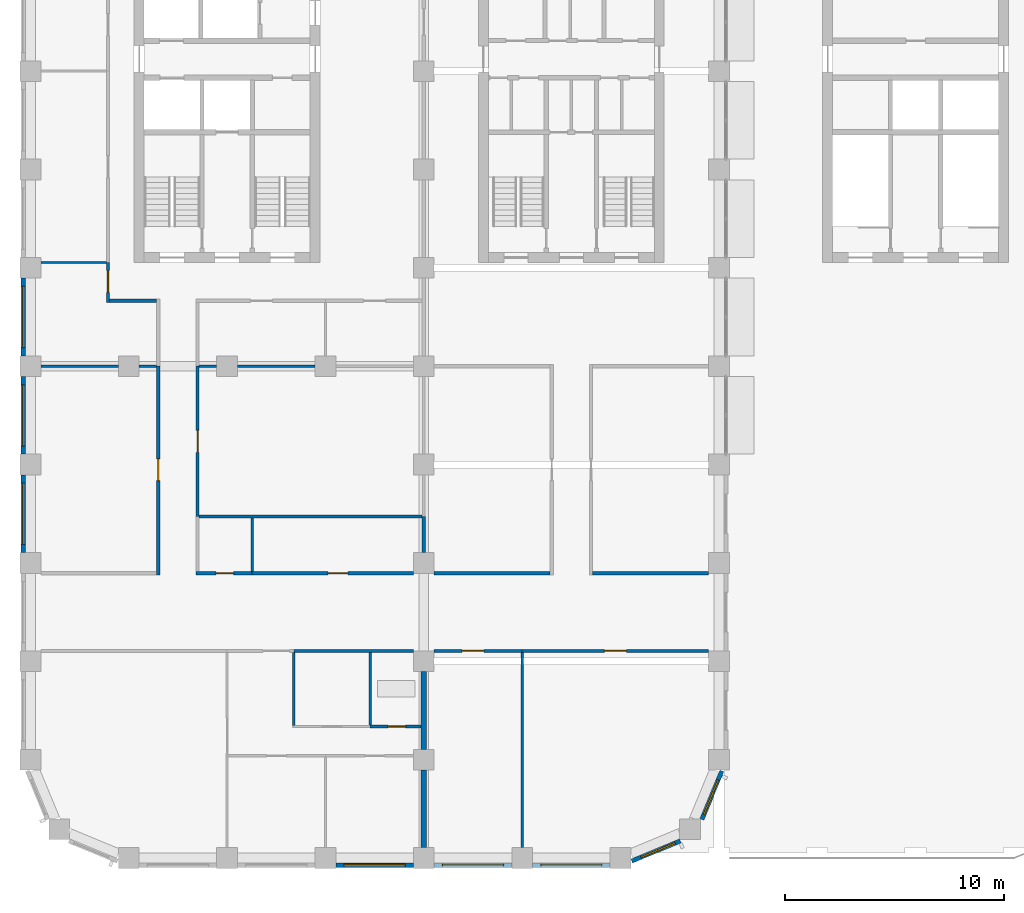
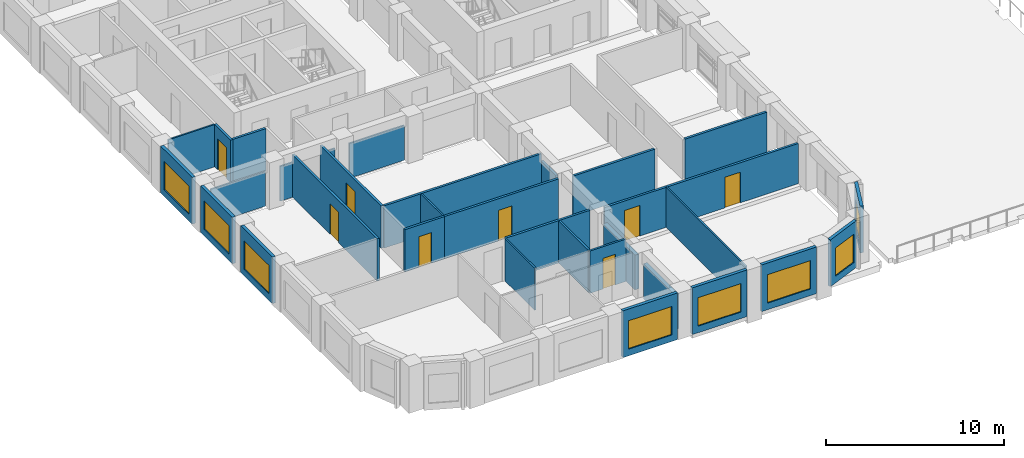
# One storey, part 7 of 15: 33 walls, 8 doors, 8 windows, 16 openings.
"""IFC4 building model written with IfcOpenShell, lengths in metres."""

from ifc_helpers import new_model, si_unit, direction, frame, frame_2d, origin, place, context, subcontext, project, spatial, rectangle, extrude, material, layer, layer_set, type_object, element, fill, save


model = new_model("IFC4")

# Units and contexts
model_context = context("Model", 3, precision=1e-05, world=origin(), true_north=direction((0.0, 1.0)))
body_context = subcontext(model_context, "Body", "Model", "MODEL_VIEW")
ifc_project = project(units=[si_unit("LENGTHUNIT", "METRE"), si_unit("AREAUNIT", "SQUARE_METRE"), si_unit("VOLUMEUNIT", "CUBIC_METRE"), si_unit("PLANEANGLEUNIT", "RADIAN"), si_unit("MASSUNIT", "GRAM", prefix="KILO")], contexts=[model_context])

# Site, building, storey
site_placement = place(None, origin())
site = spatial("IfcSite", under=ifc_project, at=site_placement, CompositionType="ELEMENT")
building_placement = place(site_placement, origin())
building = spatial("IfcBuilding", under=site, at=building_placement, Name="Girih Gate Residences", CompositionType="ELEMENT")
storey_placement = place(building_placement, frame((0.0, 0.0, 176.300048828125)))
storey = spatial("IfcBuildingStorey", under=building, at=storey_placement, Name="L48", CompositionType="ELEMENT", Elevation=176.300048828125)

# Walls
ifc_material_1 = material(Name="Gypsum board on steel studs", Category="steel")
ifc_layer_1 = layer(ifc_material_1, 0.25)
ifc_layer_set_1 = layer_set([ifc_layer_1], Name="Acoustic separating wall 250 mm")
wall_type_1 = type_object("IfcWallType", Name="Acoustic separating wall 250 mm", PredefinedType="PARTITIONING", material=ifc_layer_set_1)
for number, where, z_axis, x_axis, name in (
    (1, (18.0, 0.47509765625, 0.0), (0.0, 0.0, 1.0), (0.0, 1.0, 0.0), "L48 partition"),
    (2, (18.0, 4.97509765625, 0.0), (0.0, 0.0, 1.0), (0.0, 1.0, 0.0), "L48 partition"),
):
    element("IfcWall", number, at=place(storey_placement, frame(where, z_axis=z_axis, x_axis=x_axis)), inside=storey, type_object=wall_type_1, Name=name, PredefinedType="PARTITIONING", context=body_context, shape_type="SweptSolid", body=[
        extrude(rectangle(XDim=3.5498046875, YDim=0.25, at=frame_2d((1.77490234375, 0.0))), origin(), (0.0, 0.0, 1.0), 2.3798828125),
    ])
ifc_layer_2 = layer(ifc_material_1, 0.14990234375)
ifc_layer_set_2 = layer_set([ifc_layer_2], Name="Compartment wall 150 mm")
wall_type_2 = type_object("IfcWallType", Name="Compartment wall 150 mm", PredefinedType="PARTITIONING", material=ifc_layer_set_2)
wall_1_placement = place(storey_placement, frame((12.050048828125, 9.47509765625, 0.0), z_axis=(0.0, 0.0, 1.0), x_axis=(1.0, 0.0, 0.0)))
element("IfcWall", 3, at=wall_1_placement, inside=storey, type_object=wall_type_2, Name="L48 partition", PredefinedType="PARTITIONING", context=body_context, shape_type="SweptSolid", body=[
    extrude(rectangle(XDim=5.474853515625, YDim=0.14990234375, at=frame_2d((2.7373046875, 0.0))), origin(), (0.0, 0.0, 1.0), 2.89990234375),
])

# Wall, opening, door
wall_2_placement = place(storey_placement, frame((7.64990234375, 22.5, 0.0), z_axis=(0.0, 0.0, 1.0), x_axis=(0.0, -1.0, 0.0)))
wall_2 = element("IfcWall", 4, at=wall_2_placement, inside=storey, type_object=wall_type_2, Name="L48 partition", PredefinedType="PARTITIONING", context=body_context, shape_type="SweptSolid", body=[
    extrude(rectangle(XDim=6.875, YDim=0.14990234375, at=frame_2d((3.4375, 0.0))), origin(), (0.0, 0.0, 1.0), 2.89990234375),
])
opening_1_placement = place(wall_2_placement, frame((2.9375, 0.0, 0.0)))
opening_1 = element("IfcOpeningElement", 5, at=opening_1_placement, cuts=wall_2, Name="Opening A48-020", PredefinedType="OPENING", context=body_context, shape_type="SweptSolid", body=[
    extrude(rectangle(XDim=1.0, YDim=2.10009765625, at=frame_2d((0.5, 1.050048828125))), frame((0.0, 0.0849609375, 0.0), z_axis=(0.0, -1.0, 0.0), x_axis=(1.0, 0.0, 0.0)), (0.0, 0.0, 1.0), 0.169921875),
])
ifc_material_2 = material(Name="Timber, fire-rated core", Category="wood")
door_type_1 = type_object("IfcDoorType", Name="Amenity room door 1000x2100 FD30S", OperationType="NOTDEFINED", PredefinedType="DOOR", material=ifc_material_2)
door_1_placement = place(opening_1_placement, origin())
door_1 = element("IfcDoor", 6, at=door_1_placement, inside=storey, type_object=door_type_1, Name="Door A48-020", OperationType="SINGLE_SWING_RIGHT", OverallHeight=2.10009765625, OverallWidth=1.0, PredefinedType="DOOR", context=body_context, shape_type="SweptSolid", body=[
    extrude(rectangle(XDim=1.0, YDim=2.10009765625, at=frame_2d((0.5, 1.050048828125))), frame((0.0, 0.02490234375, 0.0), z_axis=(0.0, -1.0, 0.0), x_axis=(1.0, 0.0, 0.0)), (0.0, 0.0, 1.0), 0.050048828125),
])
fill(opening_1, door_1)

# Wall
wall_3_placement = place(storey_placement, frame((7.72509765625, 15.625, 0.0), z_axis=(0.0, 0.0, 1.0), x_axis=(1.0, 0.0, 0.0)))
element("IfcWall", 7, at=wall_3_placement, inside=storey, type_object=wall_type_2, Name="L48 partition", PredefinedType="PARTITIONING", context=body_context, shape_type="SweptSolid", body=[
    extrude(rectangle(XDim=10.199951171875, YDim=0.14990234375, at=frame_2d((5.10009765625, 0.0))), origin(), (0.0, 0.0, 1.0), 2.89990234375),
])

# Wall, opening, door
wall_4_placement = place(storey_placement, frame((22.5, 9.47509765625, 0.0), z_axis=(0.0, 0.0, 1.0), x_axis=(-1.0, 0.0, 0.0)))
wall_4 = element("IfcWall", 8, at=wall_4_placement, inside=storey, type_object=wall_type_2, Name="L48 partition", PredefinedType="PARTITIONING", context=body_context, shape_type="SweptSolid", body=[
    extrude(rectangle(XDim=4.02490234375, YDim=0.14990234375, at=frame_2d((2.012451171875, 0.0))), origin(), (0.0, 0.0, 1.0), 2.75),
])
opening_2_placement = place(wall_4_placement, frame((1.75, 0.0, 0.0)))
opening_2 = element("IfcOpeningElement", 9, at=opening_2_placement, cuts=wall_4, Name="Opening A48-022", PredefinedType="OPENING", context=body_context, shape_type="SweptSolid", body=[
    extrude(rectangle(XDim=1.0, YDim=2.10009765625, at=frame_2d((0.5, 1.050048828125))), frame((0.0, 0.0849609375, 0.0), z_axis=(0.0, -1.0, 0.0), x_axis=(1.0, 0.0, 0.0)), (0.0, 0.0, 1.0), 0.169921875),
])
door_2_placement = place(opening_2_placement, origin())
door_2 = element("IfcDoor", 10, at=door_2_placement, inside=storey, type_object=door_type_1, Name="Door A48-022", OperationType="SINGLE_SWING_RIGHT", OverallHeight=2.10009765625, OverallWidth=1.0, PredefinedType="DOOR", context=body_context, shape_type="SweptSolid", body=[
    extrude(rectangle(XDim=1.0, YDim=2.10009765625, at=frame_2d((0.5, 1.050048828125))), frame((0.0, 0.02490234375, 0.0), z_axis=(0.0, -1.0, 0.0), x_axis=(1.0, 0.0, 0.0)), (0.0, 0.0, 1.0), 0.050048828125),
])
fill(opening_2, door_2)

wall_5_placement = place(storey_placement, frame((31.02490234375, 9.47509765625, 0.0), z_axis=(0.0, 0.0, 1.0), x_axis=(-1.0, 0.0, 0.0)))
wall_5 = element("IfcWall", 11, at=wall_5_placement, inside=storey, type_object=wall_type_2, Name="L48 partition", PredefinedType="PARTITIONING", context=body_context, shape_type="SweptSolid", body=[
    extrude(rectangle(XDim=8.52490234375, YDim=0.14990234375, at=frame_2d((4.262451171875, 0.0))), origin(), (0.0, 0.0, 1.0), 2.75),
])
opening_3_placement = place(wall_5_placement, frame((3.762451171875, 0.0, 0.0)))
opening_3 = element("IfcOpeningElement", 12, at=opening_3_placement, cuts=wall_5, Name="Opening A48-023", PredefinedType="OPENING", context=body_context, shape_type="SweptSolid", body=[
    extrude(rectangle(XDim=1.0, YDim=2.10009765625, at=frame_2d((0.5, 1.050048828125))), frame((0.0, 0.0849609375, 0.0), z_axis=(0.0, -1.0, 0.0), x_axis=(1.0, 0.0, 0.0)), (0.0, 0.0, 1.0), 0.169921875),
])
door_3_placement = place(opening_3_placement, origin())
door_3 = element("IfcDoor", 13, at=door_3_placement, inside=storey, type_object=door_type_1, Name="Door A48-023", OperationType="SINGLE_SWING_RIGHT", OverallHeight=2.10009765625, OverallWidth=1.0, PredefinedType="DOOR", context=body_context, shape_type="SweptSolid", body=[
    extrude(rectangle(XDim=1.0, YDim=2.10009765625, at=frame_2d((0.5, 1.050048828125))), frame((0.0, 0.02490234375, 0.0), z_axis=(0.0, -1.0, 0.0), x_axis=(1.0, 0.0, 0.0)), (0.0, 0.0, 1.0), 0.050048828125),
])
fill(opening_3, door_3)

# Walls
for number, where, z_axis, x_axis, name in (
    (14, (18.47509765625, 13.02490234375, 0.0), (0.0, 0.0, 1.0), (1.0, 0.0, 0.0), "L48 partition"),
    (15, (25.72509765625, 13.02490234375, 0.0), (0.0, 0.0, 1.0), (1.0, 0.0, 0.0), "L48 partition"),
):
    element("IfcWall", number, at=place(storey_placement, frame(where, z_axis=z_axis, x_axis=x_axis)), inside=storey, type_object=wall_type_2, Name=name, PredefinedType="PARTITIONING", context=body_context, shape_type="SweptSolid", body=[
        extrude(rectangle(XDim=5.2998046875, YDim=0.14990234375, at=frame_2d((2.64990234375, 0.0))), origin(), (0.0, 0.0, 1.0), 2.75),
    ])

# Wall, opening, door
wall_6_placement = place(storey_placement, frame((10.14990234375, 13.02490234375, 0.0), z_axis=(0.0, 0.0, 1.0), x_axis=(1.0, 0.0, 0.0)))
wall_6 = element("IfcWall", 16, at=wall_6_placement, inside=storey, type_object=wall_type_2, Name="L48 partition", PredefinedType="PARTITIONING", context=body_context, shape_type="SweptSolid", body=[
    extrude(rectangle(XDim=7.375, YDim=0.14990234375, at=frame_2d((3.6875, 0.0))), origin(), (0.0, 0.0, 1.0), 2.89990234375),
])
opening_4_placement = place(wall_6_placement, frame((3.47509765625, 0.0, 0.0)))
opening_4 = element("IfcOpeningElement", 17, at=opening_4_placement, cuts=wall_6, Name="Opening A48-026", PredefinedType="OPENING", context=body_context, shape_type="SweptSolid", body=[
    extrude(rectangle(XDim=0.89990234375, YDim=2.10009765625, at=frame_2d((0.449951171875, 1.050048828125))), frame((0.0, 0.0849609375, 0.0), z_axis=(0.0, -1.0, 0.0), x_axis=(1.0, 0.0, 0.0)), (0.0, 0.0, 1.0), 0.169921875),
])
ifc_material_3 = material(Name="Timber", Category="wood")
door_type_2 = type_object("IfcDoorType", Name="Service room door 900x2100", OperationType="NOTDEFINED", PredefinedType="DOOR", material=ifc_material_3)
door_4_placement = place(opening_4_placement, origin())
door_4 = element("IfcDoor", 18, at=door_4_placement, inside=storey, type_object=door_type_2, Name="Door A48-026", OperationType="SINGLE_SWING_RIGHT", OverallHeight=2.10009765625, OverallWidth=0.89990234375, PredefinedType="DOOR", context=body_context, shape_type="SweptSolid", body=[
    extrude(rectangle(XDim=0.89990234375, YDim=2.10009765625, at=frame_2d((0.449951171875, 1.050048828125))), frame((0.0, 0.02490234375, 0.0), z_axis=(0.0, -1.0, 0.0), x_axis=(1.0, 0.0, 0.0)), (0.0, 0.0, 1.0), 0.050048828125),
])
fill(opening_4, door_4)

wall_7_placement = place(storey_placement, frame((7.574951171875, 13.02490234375, 0.0), z_axis=(0.0, 0.0, 1.0), x_axis=(1.0, 0.0, 0.0)))
wall_7 = element("IfcWall", 19, at=wall_7_placement, inside=storey, type_object=wall_type_2, Name="L48 partition", PredefinedType="PARTITIONING", context=body_context, shape_type="SweptSolid", body=[
    extrude(rectangle(XDim=2.574951171875, YDim=0.14990234375, at=frame_2d((1.28759765625, 0.0))), origin(), (0.0, 0.0, 1.0), 2.89990234375),
])
opening_5_placement = place(wall_7_placement, frame((0.925048828125, 0.0, 0.0)))
opening_5 = element("IfcOpeningElement", 20, at=opening_5_placement, cuts=wall_7, Name="Opening A48-027", PredefinedType="OPENING", context=body_context, shape_type="SweptSolid", body=[
    extrude(rectangle(XDim=0.800048828125, YDim=2.10009765625, at=frame_2d((0.39990234375, 1.050048828125))), frame((0.0, 0.0849609375, 0.0), z_axis=(0.0, -1.0, 0.0), x_axis=(1.0, 0.0, 0.0)), (0.0, 0.0, 1.0), 0.169921875),
])
door_type_3 = type_object("IfcDoorType", Name="Bathroom door 800x2100", OperationType="NOTDEFINED", PredefinedType="DOOR", material=ifc_material_3)
door_5_placement = place(opening_5_placement, origin())
door_5 = element("IfcDoor", 21, at=door_5_placement, inside=storey, type_object=door_type_3, Name="Door A48-027", OperationType="SINGLE_SWING_RIGHT", OverallHeight=2.10009765625, OverallWidth=0.800048828125, PredefinedType="DOOR", context=body_context, shape_type="SweptSolid", body=[
    extrude(rectangle(XDim=0.800048828125, YDim=2.10009765625, at=frame_2d((0.39990234375, 1.050048828125))), frame((0.0, 0.02490234375, 0.0), z_axis=(0.0, -1.0, 0.0), x_axis=(1.0, 0.0, 0.0)), (0.0, 0.0, 1.0), 0.050048828125),
])
fill(opening_5, door_5)

# Walls
wall_8_placement = place(storey_placement, frame((18.0, 13.97509765625, 0.0), z_axis=(0.0, 0.0, 1.0), x_axis=(0.0, 1.0, 0.0)))
element("IfcWall", 22, at=wall_8_placement, inside=storey, type_object=wall_type_2, Name="L48 partition", PredefinedType="PARTITIONING", context=body_context, shape_type="SweptSolid", body=[
    extrude(rectangle(XDim=1.64990234375, YDim=0.14990234375, at=frame_2d((0.824951171875, 0.0))), origin(), (0.0, 0.0, 1.0), 2.3798828125),
])
wall_9_placement = place(storey_placement, frame((3.625, 25.5, 0.0), z_axis=(0.0, 0.0, 1.0), x_axis=(1.0, 0.0, 0.0)))
element("IfcWall", 23, at=wall_9_placement, inside=storey, type_object=wall_type_2, Name="L48 partition", PredefinedType="PARTITIONING", context=body_context, shape_type="SweptSolid", body=[
    extrude(rectangle(XDim=2.14990234375, YDim=0.14990234375, at=frame_2d((1.074951171875, 0.0))), origin(), (0.0, 0.0, 1.0), 2.89990234375),
])

# Wall, opening, door
wall_10_placement = place(storey_placement, frame((3.550048828125, 25.425048828125, 0.0), z_axis=(0.0, 0.0, 1.0), x_axis=(0.0, 1.0, 0.0)))
wall_10 = element("IfcWall", 24, at=wall_10_placement, inside=storey, type_object=wall_type_2, Name="L48 partition", PredefinedType="PARTITIONING", context=body_context, shape_type="SweptSolid", body=[
    extrude(rectangle(XDim=1.824951171875, YDim=0.14990234375, at=frame_2d((0.91259765625, 0.0))), origin(), (0.0, 0.0, 1.0), 2.89990234375),
])
opening_6_placement = place(wall_10_placement, frame((0.449951171875, 0.0, 0.0)))
opening_6 = element("IfcOpeningElement", 25, at=opening_6_placement, cuts=wall_10, Name="Opening A48-028", PredefinedType="OPENING", context=body_context, shape_type="SweptSolid", body=[
    extrude(rectangle(XDim=1.0, YDim=2.10009765625, at=frame_2d((0.5, 1.050048828125))), frame((0.0, 0.0849609375, 0.0), z_axis=(0.0, -1.0, 0.0), x_axis=(1.0, 0.0, 0.0)), (0.0, 0.0, 1.0), 0.169921875),
])
door_6_placement = place(opening_6_placement, origin())
door_6 = element("IfcDoor", 26, at=door_6_placement, inside=storey, type_object=door_type_1, Name="Door A48-028", OperationType="SINGLE_SWING_RIGHT", OverallHeight=2.10009765625, OverallWidth=1.0, PredefinedType="DOOR", context=body_context, shape_type="SweptSolid", body=[
    extrude(rectangle(XDim=1.0, YDim=2.10009765625, at=frame_2d((0.5, 1.050048828125))), frame((0.0, 0.02490234375, 0.0), z_axis=(0.0, -1.0, 0.0), x_axis=(1.0, 0.0, 0.0)), (0.0, 0.0, 1.0), 0.050048828125),
])
fill(opening_6, door_6)

wall_11_placement = place(storey_placement, frame((5.85009765625, 12.949951171875, 0.0), z_axis=(0.0, 0.0, 1.0), x_axis=(0.0, 1.0, 0.0)))
wall_11 = element("IfcWall", 27, at=wall_11_placement, inside=storey, type_object=wall_type_2, Name="L48 partition", PredefinedType="PARTITIONING", context=body_context, shape_type="SweptSolid", body=[
    extrude(rectangle(XDim=9.550048828125, YDim=0.14990234375, at=frame_2d((4.77490234375, 0.0))), origin(), (0.0, 0.0, 1.0), 2.89990234375),
])
opening_7_placement = place(wall_11_placement, frame((4.3125, 0.0, 0.0)))
opening_7 = element("IfcOpeningElement", 28, at=opening_7_placement, cuts=wall_11, Name="Opening A48-033", PredefinedType="OPENING", context=body_context, shape_type="SweptSolid", body=[
    extrude(rectangle(XDim=1.0, YDim=2.10009765625, at=frame_2d((0.5, 1.050048828125))), frame((0.0, 0.0849609375, 0.0), z_axis=(0.0, -1.0, 0.0), x_axis=(1.0, 0.0, 0.0)), (0.0, 0.0, 1.0), 0.169921875),
])
door_7_placement = place(opening_7_placement, origin())
door_7 = element("IfcDoor", 29, at=door_7_placement, inside=storey, type_object=door_type_1, Name="Door A48-033", OperationType="SINGLE_SWING_RIGHT", OverallHeight=2.10009765625, OverallWidth=1.0, PredefinedType="DOOR", context=body_context, shape_type="SweptSolid", body=[
    extrude(rectangle(XDim=1.0, YDim=2.10009765625, at=frame_2d((0.5, 1.050048828125))), frame((0.0, 0.02490234375, 0.0), z_axis=(0.0, -1.0, 0.0), x_axis=(1.0, 0.0, 0.0)), (0.0, 0.0, 1.0), 0.050048828125),
])
fill(opening_7, door_7)

# Walls
ifc_layer_3 = layer(ifc_material_1, 0.10009765625)
ifc_layer_set_3 = layer_set([ifc_layer_3], Name="Partition 100 mm")
wall_type_3 = type_object("IfcWallType", Name="Partition 100 mm", PredefinedType="PARTITIONING", material=ifc_layer_set_3)
wall_12_placement = place(storey_placement, frame((12.050048828125, 6.06494140625, 0.0), z_axis=(0.0, 0.0, 1.0), x_axis=(0.0, 1.0, 0.0)))
element("IfcWall", 30, at=wall_12_placement, inside=storey, type_object=wall_type_3, Name="L48 partition", PredefinedType="PARTITIONING", context=body_context, shape_type="SweptSolid", body=[
    extrude(rectangle(XDim=3.3349609375, YDim=0.10009765625, at=frame_2d((1.66748046875, 0.0))), origin(), (0.0, 0.0, 1.0), 2.89990234375),
])
wall_13_placement = place(storey_placement, frame((7.72509765625, 22.5, 0.0), z_axis=(0.0, 0.0, 1.0), x_axis=(1.0, 0.0, 0.0)))
element("IfcWall", 31, at=wall_13_placement, inside=storey, type_object=wall_type_3, Name="L48 partition", PredefinedType="PARTITIONING", context=body_context, shape_type="SweptSolid", body=[
    extrude(rectangle(XDim=0.7998046875, YDim=0.10009765625, at=frame_2d((0.39990234375, 0.0))), origin(), (0.0, 0.0, 1.0), 2.3798828125),
])
wall_14_placement = place(storey_placement, frame((9.47509765625, 22.5, 0.0), z_axis=(0.0, 0.0, 1.0), x_axis=(1.0, 0.0, 0.0)))
element("IfcWall", 32, at=wall_14_placement, inside=storey, type_object=wall_type_3, Name="L48 partition", PredefinedType="PARTITIONING", context=body_context, shape_type="SweptSolid", body=[
    extrude(rectangle(XDim=3.5498046875, YDim=0.10009765625, at=frame_2d((1.77490234375, 0.0))), origin(), (0.0, 0.0, 1.0), 2.3798828125),
])
wall_15_placement = place(storey_placement, frame((22.5, 0.47509765625, 0.0), z_axis=(0.0, 0.0, 1.0), x_axis=(0.0, 1.0, 0.0)))
element("IfcWall", 33, at=wall_15_placement, inside=storey, type_object=wall_type_3, Name="L48 partition", PredefinedType="PARTITIONING", context=body_context, shape_type="SweptSolid", body=[
    extrude(rectangle(XDim=8.9248046875, YDim=0.10009765625, at=frame_2d((4.46240234375, 0.0))), origin(), (0.0, 0.0, 1.0), 2.75),
])
wall_16_placement = place(storey_placement, frame((0.47509765625, 27.25, 0.0), z_axis=(0.0, 0.0, 1.0), x_axis=(1.0, 0.0, 0.0)))
element("IfcWall", 34, at=wall_16_placement, inside=storey, type_object=wall_type_3, Name="L48 partition", PredefinedType="PARTITIONING", context=body_context, shape_type="SweptSolid", body=[
    extrude(rectangle(XDim=3.0, YDim=0.10009765625, at=frame_2d((1.5, 0.0))), origin(), (0.0, 0.0, 1.0), 2.89990234375),
])
wall_17_placement = place(storey_placement, frame((4.97509765625, 22.5, 0.0), z_axis=(0.0, 0.0, 1.0), x_axis=(1.0, 0.0, 0.0)))
element("IfcWall", 35, at=wall_17_placement, inside=storey, type_object=wall_type_3, Name="L48 partition", PredefinedType="PARTITIONING", context=body_context, shape_type="SweptSolid", body=[
    extrude(rectangle(XDim=0.7998046875, YDim=0.10009765625, at=frame_2d((0.39990234375, 0.0))), origin(), (0.0, 0.0, 1.0), 2.3798828125),
])
wall_18_placement = place(storey_placement, frame((0.47509765625, 22.5, 0.0), z_axis=(0.0, 0.0, 1.0), x_axis=(1.0, 0.0, 0.0)))
element("IfcWall", 36, at=wall_18_placement, inside=storey, type_object=wall_type_3, Name="L48 partition", PredefinedType="PARTITIONING", context=body_context, shape_type="SweptSolid", body=[
    extrude(rectangle(XDim=3.5498046875, YDim=0.10009765625, at=frame_2d((1.77490234375, 0.0))), origin(), (0.0, 0.0, 1.0), 2.3798828125),
])
wall_19_placement = place(storey_placement, frame((10.14990234375, 13.10009765625, 0.0), z_axis=(0.0, 0.0, 1.0), x_axis=(0.0, 1.0, 0.0)))
element("IfcWall", 37, at=wall_19_placement, inside=storey, type_object=wall_type_3, Name="L48 partition", PredefinedType="PARTITIONING", context=body_context, shape_type="SweptSolid", body=[
    extrude(rectangle(XDim=2.449951171875, YDim=0.10009765625, at=frame_2d((1.22509765625, 0.0))), origin(), (0.0, 0.0, 1.0), 2.89990234375),
])

# Wall, opening, window
ifc_material_4 = material(Name="Precast concrete C50/60", Category="concrete")
ifc_layer_4 = layer(ifc_material_4, 0.06005859375, Name="Outer leaf")
ifc_material_5 = material(Name="Rigid PIR insulation")
ifc_layer_5 = layer(ifc_material_5, 0.090087890625, Name="Insulation")
ifc_material_6 = material(Name="Precast concrete C40/50", Category="concrete")
ifc_layer_6 = layer(ifc_material_6, 0.050048828125, Name="Inner leaf")
ifc_layer_set_4 = layer_set([ifc_layer_4, ifc_layer_5, ifc_layer_6], Name="Precast concrete C50/60 external wall 200")
wall_type_4 = type_object("IfcWallType", Name="Precast concrete C50/60 external wall 200", PredefinedType="SOLIDWALL", material=ifc_layer_set_4)
wall_20_placement = place(storey_placement, frame((29.73291015625, 0.7802734375, 0.0), z_axis=(0.0, 0.0, 1.0), x_axis=(-0.923880599843, -0.382680855588, 0.0)))
wall_20 = element("IfcWall", 38, at=wall_20_placement, inside=storey, type_object=wall_type_4, Name="External wall SE0270_0000.0", PredefinedType="SOLIDWALL", context=body_context, shape_type="SweptSolid", body=[
    extrude(rectangle(XDim=2.402587890625, YDim=0.199951171875, at=frame_2d((1.201171875, 0.0))), origin(), (0.0, 0.0, 1.0), 3.199951171875),
])
opening_8_placement = place(wall_20_placement, frame((0.25146484375, 0.0, 0.449951171875)))
opening_8 = element("IfcOpeningElement", 39, at=opening_8_placement, cuts=wall_20, Name="Opening W-2E", PredefinedType="OPENING", context=body_context, shape_type="SweptSolid", body=[
    extrude(rectangle(XDim=1.699951171875, YDim=1.949951171875, at=frame_2d((0.85009765625, 0.97509765625))), frame((0.0, 0.10986328125, 0.0), z_axis=(0.0, -1.0, 0.0), x_axis=(1.0, 0.0, 0.0)), (0.0, 0.0, 1.0), 0.219970703125),
])
ifc_material_7 = material(Name="Double glazing in aluminium frame", Category="aluminium")
window_type_1 = type_object("IfcWindowType", Name="Window W-2E 1700x1950", PartitioningType="SINGLE_PANEL", PredefinedType="WINDOW", material=ifc_material_7)
window_1_placement = place(opening_8_placement, origin())
window_1 = element("IfcWindow", 40, at=window_1_placement, inside=storey, type_object=window_type_1, Name="Window W-2E SE0270_0000.0", OverallHeight=1.949951171875, OverallWidth=1.699951171875, PartitioningType="SINGLE_PANEL", PredefinedType="WINDOW", context=body_context, shape_type="SweptSolid", body=[
    extrude(rectangle(XDim=1.699951171875, YDim=1.949951171875, at=frame_2d((0.85009765625, 0.97509765625))), frame((0.0, 0.030029296875, 0.0), z_axis=(0.0, -1.0, 0.0), x_axis=(1.0, 0.0, 0.0)), (0.0, 0.0, 1.0), 0.06005859375),
])
fill(opening_8, window_1)

wall_21_placement = place(storey_placement, frame((31.63916015625, 3.98681640625, 0.0), z_axis=(0.0, 0.0, 1.0), x_axis=(-0.382680855588, -0.923880599843, 0.0)))
wall_21 = element("IfcWall", 41, at=wall_21_placement, inside=storey, type_object=wall_type_4, Name="External wall SE0302_0013.0", PredefinedType="SOLIDWALL", context=body_context, shape_type="SweptSolid", body=[
    extrude(rectangle(XDim=2.402587890625, YDim=0.199951171875, at=frame_2d((1.201171875, 0.0))), origin(), (0.0, 0.0, 1.0), 3.199951171875),
])
opening_9_placement = place(wall_21_placement, frame((0.451171875, 0.0, 0.449951171875)))
opening_9 = element("IfcOpeningElement", 42, at=opening_9_placement, cuts=wall_21, Name="Opening W-2E", PredefinedType="OPENING", context=body_context, shape_type="SweptSolid", body=[
    extrude(rectangle(XDim=1.699951171875, YDim=1.949951171875, at=frame_2d((0.85009765625, 0.97509765625))), frame((0.0, 0.10986328125, 0.0), z_axis=(0.0, -1.0, 0.0), x_axis=(1.0, 0.0, 0.0)), (0.0, 0.0, 1.0), 0.219970703125),
])
window_2_placement = place(opening_9_placement, origin())
window_2 = element("IfcWindow", 43, at=window_2_placement, inside=storey, type_object=window_type_1, Name="Window W-2E SE0302_0013.0", OverallHeight=1.949951171875, OverallWidth=1.699951171875, PartitioningType="SINGLE_PANEL", PredefinedType="WINDOW", context=body_context, shape_type="SweptSolid", body=[
    extrude(rectangle(XDim=1.699951171875, YDim=1.949951171875, at=frame_2d((0.85009765625, 0.97509765625))), frame((0.0, 0.030029296875, 0.0), z_axis=(0.0, -1.0, 0.0), x_axis=(1.0, 0.0, 0.0)), (0.0, 0.0, 1.0), 0.06005859375),
])
fill(opening_9, window_2)

wall_22_placement = place(storey_placement, frame((-0.324951171875, 22.97509765625, 0.0), z_axis=(0.0, 0.0, 1.0), x_axis=(0.0, 1.0, 0.0)))
wall_22 = element("IfcWall", 44, at=wall_22_placement, inside=storey, type_object=wall_type_4, Name="External wall W0000_0450.4", PredefinedType="SOLIDWALL", context=body_context, shape_type="SweptSolid", body=[
    extrude(rectangle(XDim=3.5498046875, YDim=0.199951171875, at=frame_2d((1.77490234375, 0.0))), origin(), (0.0, 0.0, 1.0), 3.199951171875),
])
opening_10_placement = place(wall_22_placement, frame((0.375, 0.0, 0.449951171875)))
opening_10 = element("IfcOpeningElement", 45, at=opening_10_placement, cuts=wall_22, Name="Opening W-1B", PredefinedType="OPENING", context=body_context, shape_type="SweptSolid", body=[
    extrude(rectangle(XDim=2.800048828125, YDim=1.949951171875, at=frame_2d((1.39990234375, 0.97509765625))), frame((0.0, 0.10986328125, 0.0), z_axis=(0.0, -1.0, 0.0), x_axis=(1.0, 0.0, 0.0)), (0.0, 0.0, 1.0), 0.219970703125),
])
window_type_2 = type_object("IfcWindowType", Name="Window W-1B 2800x1950", PartitioningType="SINGLE_PANEL", PredefinedType="WINDOW", material=ifc_material_7)
window_3_placement = place(opening_10_placement, origin())
window_3 = element("IfcWindow", 46, at=window_3_placement, inside=storey, type_object=window_type_2, Name="Window W-1B W0000_0450.4", OverallHeight=1.949951171875, OverallWidth=2.800048828125, PartitioningType="SINGLE_PANEL", PredefinedType="WINDOW", context=body_context, shape_type="SweptSolid", body=[
    extrude(rectangle(XDim=2.800048828125, YDim=1.949951171875, at=frame_2d((1.39990234375, 0.97509765625))), frame((0.0, 0.030029296875, 0.0), z_axis=(0.0, -1.0, 0.0), x_axis=(1.0, 0.0, 0.0)), (0.0, 0.0, 1.0), 0.06005859375),
])
fill(opening_10, window_3)

wall_23_placement = place(storey_placement, frame((-0.324951171875, 18.47509765625, 0.0), z_axis=(0.0, 0.0, 1.0), x_axis=(0.0, 1.0, 0.0)))
wall_23 = element("IfcWall", 47, at=wall_23_placement, inside=storey, type_object=wall_type_4, Name="External wall W0000_0450.5", PredefinedType="SOLIDWALL", context=body_context, shape_type="SweptSolid", body=[
    extrude(rectangle(XDim=3.5498046875, YDim=0.199951171875, at=frame_2d((1.77490234375, 0.0))), origin(), (0.0, 0.0, 1.0), 3.199951171875),
])
opening_11_placement = place(wall_23_placement, frame((0.375, 0.0, 0.449951171875)))
opening_11 = element("IfcOpeningElement", 48, at=opening_11_placement, cuts=wall_23, Name="Opening W-1B", PredefinedType="OPENING", context=body_context, shape_type="SweptSolid", body=[
    extrude(rectangle(XDim=2.800048828125, YDim=1.949951171875, at=frame_2d((1.39990234375, 0.97509765625))), frame((0.0, 0.10986328125, 0.0), z_axis=(0.0, -1.0, 0.0), x_axis=(1.0, 0.0, 0.0)), (0.0, 0.0, 1.0), 0.219970703125),
])
window_4_placement = place(opening_11_placement, origin())
window_4 = element("IfcWindow", 49, at=window_4_placement, inside=storey, type_object=window_type_2, Name="Window W-1B W0000_0450.5", OverallHeight=1.949951171875, OverallWidth=2.800048828125, PartitioningType="SINGLE_PANEL", PredefinedType="WINDOW", context=body_context, shape_type="SweptSolid", body=[
    extrude(rectangle(XDim=2.800048828125, YDim=1.949951171875, at=frame_2d((1.39990234375, 0.97509765625))), frame((0.0, 0.030029296875, 0.0), z_axis=(0.0, -1.0, 0.0), x_axis=(1.0, 0.0, 0.0)), (0.0, 0.0, 1.0), 0.06005859375),
])
fill(opening_11, window_4)

wall_24_placement = place(storey_placement, frame((-0.324951171875, 13.97509765625, 0.0), z_axis=(0.0, 0.0, 1.0), x_axis=(0.0, 1.0, 0.0)))
wall_24 = element("IfcWall", 50, at=wall_24_placement, inside=storey, type_object=wall_type_4, Name="External wall W0000_0450.6", PredefinedType="SOLIDWALL", context=body_context, shape_type="SweptSolid", body=[
    extrude(rectangle(XDim=3.5498046875, YDim=0.199951171875, at=frame_2d((1.77490234375, 0.0))), origin(), (0.0, 0.0, 1.0), 3.199951171875),
])
opening_12_placement = place(wall_24_placement, frame((0.375, 0.0, 0.449951171875)))
opening_12 = element("IfcOpeningElement", 51, at=opening_12_placement, cuts=wall_24, Name="Opening W-1B", PredefinedType="OPENING", context=body_context, shape_type="SweptSolid", body=[
    extrude(rectangle(XDim=2.800048828125, YDim=1.949951171875, at=frame_2d((1.39990234375, 0.97509765625))), frame((0.0, 0.10986328125, 0.0), z_axis=(0.0, -1.0, 0.0), x_axis=(1.0, 0.0, 0.0)), (0.0, 0.0, 1.0), 0.219970703125),
])
window_5_placement = place(opening_12_placement, origin())
window_5 = element("IfcWindow", 52, at=window_5_placement, inside=storey, type_object=window_type_2, Name="Window W-1B W0000_0450.6", OverallHeight=1.949951171875, OverallWidth=2.800048828125, PartitioningType="SINGLE_PANEL", PredefinedType="WINDOW", context=body_context, shape_type="SweptSolid", body=[
    extrude(rectangle(XDim=2.800048828125, YDim=1.949951171875, at=frame_2d((1.39990234375, 0.97509765625))), frame((0.0, 0.030029296875, 0.0), z_axis=(0.0, -1.0, 0.0), x_axis=(1.0, 0.0, 0.0)), (0.0, 0.0, 1.0), 0.06005859375),
])
fill(opening_12, window_5)

wall_25_placement = place(storey_placement, frame((17.52490234375, -0.324951171875, 0.0), z_axis=(0.0, 0.0, 1.0), x_axis=(-1.0, 0.0, 0.0)))
wall_25 = element("IfcWall", 53, at=wall_25_placement, inside=storey, type_object=wall_type_4, Name="External wall S0045_0000.2", PredefinedType="SOLIDWALL", context=body_context, shape_type="SweptSolid", body=[
    extrude(rectangle(XDim=3.5498046875, YDim=0.199951171875, at=frame_2d((1.77490234375, 0.0))), origin(), (0.0, 0.0, 1.0), 3.199951171875),
])
opening_13_placement = place(wall_25_placement, frame((0.375, 0.0, 0.449951171875)))
opening_13 = element("IfcOpeningElement", 54, at=opening_13_placement, cuts=wall_25, Name="Opening W-1B", PredefinedType="OPENING", context=body_context, shape_type="SweptSolid", body=[
    extrude(rectangle(XDim=2.800048828125, YDim=1.949951171875, at=frame_2d((1.39990234375, 0.97509765625))), frame((0.0, 0.10986328125, 0.0), z_axis=(0.0, -1.0, 0.0), x_axis=(1.0, 0.0, 0.0)), (0.0, 0.0, 1.0), 0.219970703125),
])
window_6_placement = place(opening_13_placement, origin())
window_6 = element("IfcWindow", 55, at=window_6_placement, inside=storey, type_object=window_type_2, Name="Window W-1B S0045_0000.2", OverallHeight=1.949951171875, OverallWidth=2.800048828125, PartitioningType="SINGLE_PANEL", PredefinedType="WINDOW", context=body_context, shape_type="SweptSolid", body=[
    extrude(rectangle(XDim=2.800048828125, YDim=1.949951171875, at=frame_2d((1.39990234375, 0.97509765625))), frame((0.0, 0.030029296875, 0.0), z_axis=(0.0, -1.0, 0.0), x_axis=(1.0, 0.0, 0.0)), (0.0, 0.0, 1.0), 0.06005859375),
])
fill(opening_13, window_6)

wall_26_placement = place(storey_placement, frame((22.02490234375, -0.324951171875, 0.0), z_axis=(0.0, 0.0, 1.0), x_axis=(-1.0, 0.0, 0.0)))
wall_26 = element("IfcWall", 56, at=wall_26_placement, inside=storey, type_object=wall_type_4, Name="External wall S0045_0000.3", PredefinedType="SOLIDWALL", context=body_context, shape_type="SweptSolid", body=[
    extrude(rectangle(XDim=3.5498046875, YDim=0.199951171875, at=frame_2d((1.77490234375, 0.0))), origin(), (0.0, 0.0, 1.0), 3.199951171875),
])
opening_14_placement = place(wall_26_placement, frame((0.375, 0.0, 0.449951171875)))
opening_14 = element("IfcOpeningElement", 57, at=opening_14_placement, cuts=wall_26, Name="Opening W-1B", PredefinedType="OPENING", context=body_context, shape_type="SweptSolid", body=[
    extrude(rectangle(XDim=2.800048828125, YDim=1.949951171875, at=frame_2d((1.39990234375, 0.97509765625))), frame((0.0, 0.10986328125, 0.0), z_axis=(0.0, -1.0, 0.0), x_axis=(1.0, 0.0, 0.0)), (0.0, 0.0, 1.0), 0.219970703125),
])
window_7_placement = place(opening_14_placement, origin())
window_7 = element("IfcWindow", 58, at=window_7_placement, inside=storey, type_object=window_type_2, Name="Window W-1B S0045_0000.3", OverallHeight=1.949951171875, OverallWidth=2.800048828125, PartitioningType="SINGLE_PANEL", PredefinedType="WINDOW", context=body_context, shape_type="SweptSolid", body=[
    extrude(rectangle(XDim=2.800048828125, YDim=1.949951171875, at=frame_2d((1.39990234375, 0.97509765625))), frame((0.0, 0.030029296875, 0.0), z_axis=(0.0, -1.0, 0.0), x_axis=(1.0, 0.0, 0.0)), (0.0, 0.0, 1.0), 0.06005859375),
])
fill(opening_14, window_7)

wall_27_placement = place(storey_placement, frame((26.52490234375, -0.324951171875, 0.0), z_axis=(0.0, 0.0, 1.0), x_axis=(-1.0, 0.0, 0.0)))
wall_27 = element("IfcWall", 59, at=wall_27_placement, inside=storey, type_object=wall_type_4, Name="External wall S0045_0000.4", PredefinedType="SOLIDWALL", context=body_context, shape_type="SweptSolid", body=[
    extrude(rectangle(XDim=3.5498046875, YDim=0.199951171875, at=frame_2d((1.77490234375, 0.0))), origin(), (0.0, 0.0, 1.0), 3.199951171875),
])
opening_15_placement = place(wall_27_placement, frame((0.375, 0.0, 0.449951171875)))
opening_15 = element("IfcOpeningElement", 60, at=opening_15_placement, cuts=wall_27, Name="Opening W-1B", PredefinedType="OPENING", context=body_context, shape_type="SweptSolid", body=[
    extrude(rectangle(XDim=2.800048828125, YDim=1.949951171875, at=frame_2d((1.39990234375, 0.97509765625))), frame((0.0, 0.10986328125, 0.0), z_axis=(0.0, -1.0, 0.0), x_axis=(1.0, 0.0, 0.0)), (0.0, 0.0, 1.0), 0.219970703125),
])
window_8_placement = place(opening_15_placement, origin())
window_8 = element("IfcWindow", 61, at=window_8_placement, inside=storey, type_object=window_type_2, Name="Window W-1B S0045_0000.4", OverallHeight=1.949951171875, OverallWidth=2.800048828125, PartitioningType="SINGLE_PANEL", PredefinedType="WINDOW", context=body_context, shape_type="SweptSolid", body=[
    extrude(rectangle(XDim=2.800048828125, YDim=1.949951171875, at=frame_2d((1.39990234375, 0.97509765625))), frame((0.0, 0.030029296875, 0.0), z_axis=(0.0, -1.0, 0.0), x_axis=(1.0, 0.0, 0.0)), (0.0, 0.0, 1.0), 0.06005859375),
])
fill(opening_15, window_8)

# Wall, opening, door
ifc_layer_7 = layer(ifc_material_1, 0.125)
ifc_layer_set_5 = layer_set([ifc_layer_7], Name="Wet room wall 125 mm")
wall_type_5 = type_object("IfcWallType", Name="Wet room wall 125 mm", PredefinedType="PARTITIONING", material=ifc_layer_set_5)
wall_28_placement = place(storey_placement, frame((15.544677734375, 6.014892578125, 0.0), z_axis=(0.0, 0.0, 1.0), x_axis=(1.0, 0.0, 0.0)))
wall_28 = element("IfcWall", 62, at=wall_28_placement, inside=storey, type_object=wall_type_5, Name="L48 partition", PredefinedType="PARTITIONING", context=body_context, shape_type="SweptSolid", body=[
    extrude(rectangle(XDim=2.330322265625, YDim=0.125, at=frame_2d((1.1650390625, 0.0))), origin(), (0.0, 0.0, 1.0), 2.89990234375),
])
opening_16_placement = place(wall_28_placement, frame((0.82763671875, 0.0, 0.0)))
opening_16 = element("IfcOpeningElement", 63, at=opening_16_placement, cuts=wall_28, Name="Opening A48-001", PredefinedType="OPENING", context=body_context, shape_type="SweptSolid", body=[
    extrude(rectangle(XDim=0.800048828125, YDim=2.10009765625, at=frame_2d((0.39990234375, 1.050048828125))), frame((0.0, 0.072509765625, 0.0), z_axis=(0.0, -1.0, 0.0), x_axis=(1.0, 0.0, 0.0)), (0.0, 0.0, 1.0), 0.14501953125),
])
door_8_placement = place(opening_16_placement, origin())
door_8 = element("IfcDoor", 64, at=door_8_placement, inside=storey, type_object=door_type_3, Name="Door A48-001", OperationType="SINGLE_SWING_RIGHT", OverallHeight=2.10009765625, OverallWidth=0.800048828125, PredefinedType="DOOR", context=body_context, shape_type="SweptSolid", body=[
    extrude(rectangle(XDim=0.800048828125, YDim=2.10009765625, at=frame_2d((0.39990234375, 1.050048828125))), frame((0.0, 0.02490234375, 0.0), z_axis=(0.0, -1.0, 0.0), x_axis=(1.0, 0.0, 0.0)), (0.0, 0.0, 1.0), 0.050048828125),
])
fill(opening_16, door_8)

# Wall
wall_29_placement = place(storey_placement, frame((15.544921875, 6.077392578125, 0.0), z_axis=(0.0, 0.0, 1.0), x_axis=(0.0, 1.0, 0.0)))
element("IfcWall", 65, at=wall_29_placement, inside=storey, type_object=wall_type_5, Name="L48 partition", PredefinedType="PARTITIONING", context=body_context, shape_type="SweptSolid", body=[
    extrude(rectangle(XDim=3.322509765625, YDim=0.125, at=frame_2d((1.6611328125, 0.0))), origin(), (0.0, 0.0, 1.0), 2.89990234375),
])

save(model, "model.ifc")
